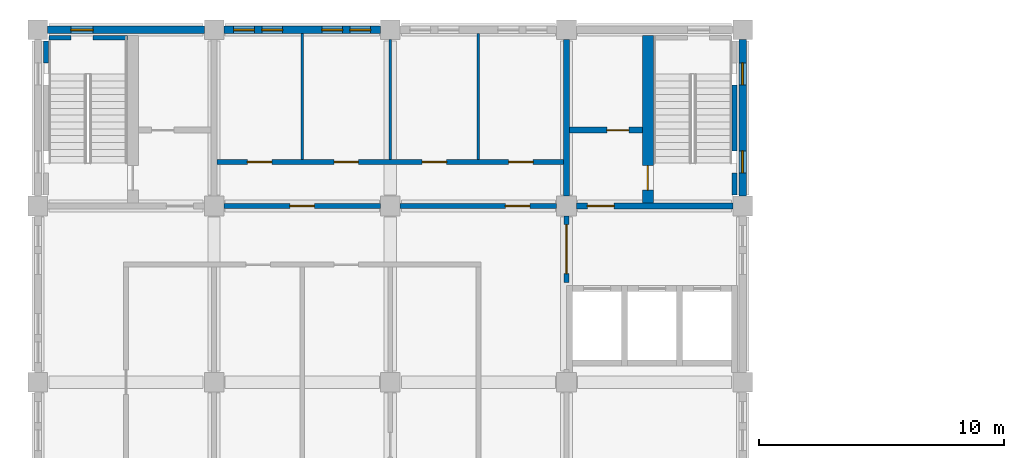
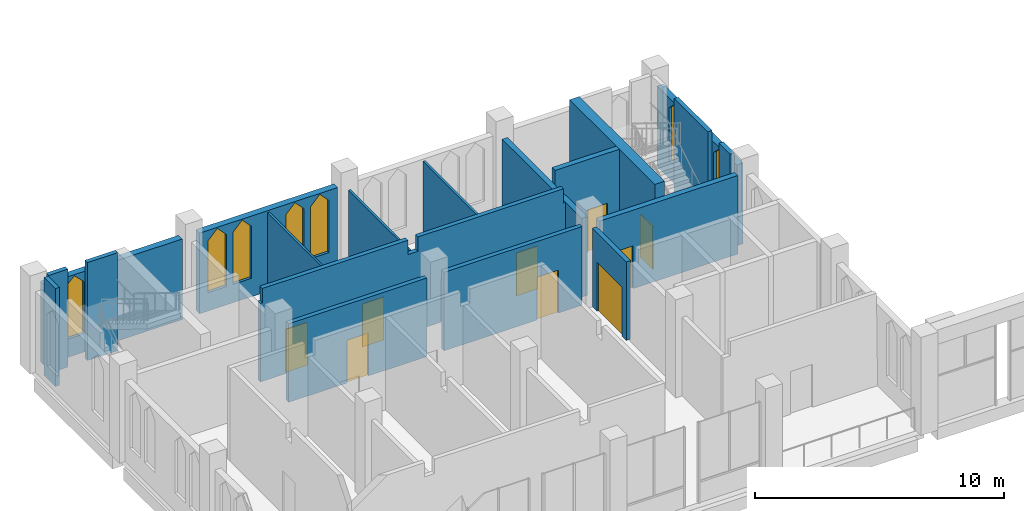
# One storey, part 23 of 31: 19 walls, 10 doors, 7 windows, 17 openings.
"""IFC4 building model written with IfcOpenShell, lengths in metres."""

from ifc_helpers import new_model, si_unit, direction, frame, frame_2d, origin, place, context, subcontext, project, spatial, polyline, rectangle, outline, extrude, material, layer, layer_set, type_object, element, fill, save


model = new_model("IFC4")

# Units and contexts
model_context = context("Model", 3, precision=1e-05, world=origin(), true_north=direction((0.0, 1.0)))
body_context = subcontext(model_context, "Body", "Model", "MODEL_VIEW")
ifc_project = project(units=[si_unit("LENGTHUNIT", "METRE"), si_unit("AREAUNIT", "SQUARE_METRE"), si_unit("VOLUMEUNIT", "CUBIC_METRE"), si_unit("PLANEANGLEUNIT", "RADIAN"), si_unit("MASSUNIT", "GRAM", prefix="KILO")], contexts=[model_context])

# Site, building, storey
site_placement = place(None, origin())
site = spatial("IfcSite", under=ifc_project, at=site_placement, CompositionType="ELEMENT")
building_placement = place(site_placement, origin())
building = spatial("IfcBuilding", under=site, at=building_placement, Name="Silangan Lancet Faculty of Sciences", CompositionType="ELEMENT")
storey_placement = place(building_placement, frame((0.0, 0.0, 36.0)))
storey = spatial("IfcBuildingStorey", under=building, at=storey_placement, Name="L07", CompositionType="ELEMENT", Elevation=36.0)

# Wall, openings, windows
ifc_material_1 = material(Name="Concrete C40/50 precast", Category="concrete")
ifc_layer_1 = layer(ifc_material_1, 0.300048828125)
ifc_layer_set_1 = layer_set([ifc_layer_1], Name="Concrete C40/50 precast")
wall_type_1 = type_object("IfcWallType", Name="EW1 Precast cladding wall", PredefinedType="STANDARD", material=ifc_layer_set_1)
wall_1_placement = place(storey_placement, frame((14.0, 57.60009765625, 0.0), z_axis=(0.0, 0.0, 1.0), x_axis=(-1.0, 0.0, 0.0)))
wall_1 = element("IfcWall", 1, at=wall_1_placement, inside=storey, type_object=wall_type_1, Name="EW-L07-N-NT-02", PredefinedType="STANDARD", context=body_context, shape_type="SweptSolid", body=[
    extrude(rectangle(XDim=6.39990234375, YDim=0.300048828125, at=frame_2d((3.199951171875, 0.0))), origin(), (0.0, 0.0, 1.0), 3.949951171875),
])
opening_1_placement = place(wall_1_placement, frame((0.39990234375, 0.0, 0.89990234375)))
opening_1 = element("IfcOpeningElement", 2, at=opening_1_placement, cuts=wall_1, Name="Opening W19", PredefinedType="OPENING", context=body_context, shape_type="SweptSolid", body=[
    extrude(outline(polyline([(0.0, 0.0), (0.85009765625, 0.0), (0.85009765625, 2.550048828125), (0.425048828125, 3.0), (0.0, 2.550048828125), (0.0, 0.0)])), frame((0.0, 0.159912109375, 0.0), z_axis=(0.0, -1.0, 0.0), x_axis=(1.0, 0.0, 0.0)), (0.0, 0.0, 1.0), 0.320068359375),
])
opening_2_placement = place(wall_1_placement, frame((1.550048828125, 0.0, 0.89990234375)))
opening_2 = element("IfcOpeningElement", 3, at=opening_2_placement, cuts=wall_1, Name="Opening W19", PredefinedType="OPENING", context=body_context, shape_type="SweptSolid", body=[
    extrude(outline(polyline([(0.0, 0.0), (0.85009765625, 0.0), (0.85009765625, 2.550048828125), (0.425048828125, 3.0), (0.0, 2.550048828125), (0.0, 0.0)])), frame((0.0, 0.159912109375, 0.0), z_axis=(0.0, -1.0, 0.0), x_axis=(1.0, 0.0, 0.0)), (0.0, 0.0, 1.0), 0.320068359375),
])
opening_3_placement = place(wall_1_placement, frame((4.0, 0.0, 0.89990234375)))
opening_3 = element("IfcOpeningElement", 4, at=opening_3_placement, cuts=wall_1, Name="Opening W19", PredefinedType="OPENING", context=body_context, shape_type="SweptSolid", body=[
    extrude(outline(polyline([(0.0, 0.0), (0.85009765625, 0.0), (0.85009765625, 2.550048828125), (0.425048828125, 3.0), (0.0, 2.550048828125), (0.0, 0.0)])), frame((0.0, 0.159912109375, 0.0), z_axis=(0.0, -1.0, 0.0), x_axis=(1.0, 0.0, 0.0)), (0.0, 0.0, 1.0), 0.320068359375),
])
opening_4_placement = place(wall_1_placement, frame((5.14990234375, 0.0, 0.89990234375)))
opening_4 = element("IfcOpeningElement", 5, at=opening_4_placement, cuts=wall_1, Name="Opening W19", PredefinedType="OPENING", context=body_context, shape_type="SweptSolid", body=[
    extrude(outline(polyline([(0.0, 0.0), (0.85009765625, 0.0), (0.85009765625, 2.550048828125), (0.425048828125, 3.0), (0.0, 2.550048828125), (0.0, 0.0)])), frame((0.0, 0.159912109375, 0.0), z_axis=(0.0, -1.0, 0.0), x_axis=(1.0, 0.0, 0.0)), (0.0, 0.0, 1.0), 0.320068359375),
])
ifc_material_2 = material(Name="Aluminium frame, laminated double glazing", Category="aluminium")
window_type_1 = type_object("IfcWindowType", Name="W19 Lancet window 850 x 3000", PartitioningType="SINGLE_PANEL", PredefinedType="WINDOW", material=ifc_material_2)
window_1_placement = place(opening_1_placement, origin())
window_1 = element("IfcWindow", 6, at=window_1_placement, inside=storey, type_object=window_type_1, Name="WIN-L07-N-NT-02a1", OverallHeight=3.0, OverallWidth=0.85009765625, PartitioningType="SINGLE_PANEL", PredefinedType="WINDOW", context=body_context, shape_type="SweptSolid", body=[
    extrude(outline(polyline([(0.0, 0.0), (0.85009765625, 0.0), (0.85009765625, 2.550048828125), (0.425048828125, 3.0), (0.0, 2.550048828125), (0.0, 0.0)])), frame((0.0, 0.030029296875, 0.0), z_axis=(0.0, -1.0, 0.0), x_axis=(1.0, 0.0, 0.0)), (0.0, 0.0, 1.0), 0.06005859375),
])
fill(opening_1, window_1)
window_2_placement = place(opening_2_placement, origin())
window_2 = element("IfcWindow", 7, at=window_2_placement, inside=storey, type_object=window_type_1, Name="WIN-L07-N-NT-02a2", OverallHeight=3.0, OverallWidth=0.85009765625, PartitioningType="SINGLE_PANEL", PredefinedType="WINDOW", context=body_context, shape_type="SweptSolid", body=[
    extrude(outline(polyline([(0.0, 0.0), (0.85009765625, 0.0), (0.85009765625, 2.550048828125), (0.425048828125, 3.0), (0.0, 2.550048828125), (0.0, 0.0)])), frame((0.0, 0.030029296875, 0.0), z_axis=(0.0, -1.0, 0.0), x_axis=(1.0, 0.0, 0.0)), (0.0, 0.0, 1.0), 0.06005859375),
])
fill(opening_2, window_2)
window_3_placement = place(opening_3_placement, origin())
window_3 = element("IfcWindow", 8, at=window_3_placement, inside=storey, type_object=window_type_1, Name="WIN-L07-N-NT-02b1", OverallHeight=3.0, OverallWidth=0.85009765625, PartitioningType="SINGLE_PANEL", PredefinedType="WINDOW", context=body_context, shape_type="SweptSolid", body=[
    extrude(outline(polyline([(0.0, 0.0), (0.85009765625, 0.0), (0.85009765625, 2.550048828125), (0.425048828125, 3.0), (0.0, 2.550048828125), (0.0, 0.0)])), frame((0.0, 0.030029296875, 0.0), z_axis=(0.0, -1.0, 0.0), x_axis=(1.0, 0.0, 0.0)), (0.0, 0.0, 1.0), 0.06005859375),
])
fill(opening_3, window_3)
window_4_placement = place(opening_4_placement, origin())
window_4 = element("IfcWindow", 9, at=window_4_placement, inside=storey, type_object=window_type_1, Name="WIN-L07-N-NT-02b2", OverallHeight=3.0, OverallWidth=0.85009765625, PartitioningType="SINGLE_PANEL", PredefinedType="WINDOW", context=body_context, shape_type="SweptSolid", body=[
    extrude(outline(polyline([(0.0, 0.0), (0.85009765625, 0.0), (0.85009765625, 2.550048828125), (0.425048828125, 3.0), (0.0, 2.550048828125), (0.0, 0.0)])), frame((0.0, 0.030029296875, 0.0), z_axis=(0.0, -1.0, 0.0), x_axis=(1.0, 0.0, 0.0)), (0.0, 0.0, 1.0), 0.06005859375),
])
fill(opening_4, window_4)

# Wall, opening, window
ifc_material_3 = material(Name="Concrete C40/50 precast", Category="concrete")
ifc_layer_2 = layer(ifc_material_3, 0.300048828125)
ifc_layer_set_2 = layer_set([ifc_layer_2], Name="Concrete C40/50 precast")
wall_type_2 = type_object("IfcWallType", Name="EW2 Turret enclosure wall", PredefinedType="STANDARD", material=ifc_layer_set_2)
wall_2_placement = place(storey_placement, frame((6.800048828125, 57.60009765625, 0.0), z_axis=(0.0, 0.0, 1.0), x_axis=(-1.0, 0.0, 0.0)))
wall_2 = element("IfcWall", 10, at=wall_2_placement, inside=storey, type_object=wall_type_2, Name="EW-L07-N-NT-03", PredefinedType="STANDARD", context=body_context, shape_type="SweptSolid", body=[
    extrude(rectangle(XDim=6.400146484375, YDim=0.300048828125, at=frame_2d((3.2001953125, 0.0))), origin(), (0.0, 0.0, 1.0), 3.949951171875),
])
opening_5_placement = place(wall_2_placement, frame((4.550048828125, 0.0, 0.89990234375)))
opening_5 = element("IfcOpeningElement", 11, at=opening_5_placement, cuts=wall_2, Name="Opening W17", PredefinedType="OPENING", context=body_context, shape_type="SweptSolid", body=[
    extrude(outline(polyline([(0.0, 0.0), (0.89990234375, 0.0), (0.89990234375, 2.550048828125), (0.449951171875, 3.0), (0.0, 2.550048828125), (0.0, 0.0)])), frame((0.0, 0.159912109375, 0.0), z_axis=(0.0, -1.0, 0.0), x_axis=(1.0, 0.0, 0.0)), (0.0, 0.0, 1.0), 0.320068359375),
])
ifc_material_4 = material(Name="Aluminium frame, laminated double glazing", Category="aluminium")
window_type_2 = type_object("IfcWindowType", Name="W17 Lancet window 900 x 3000", PartitioningType="SINGLE_PANEL", PredefinedType="WINDOW", material=ifc_material_4)
window_5_placement = place(opening_5_placement, origin())
window_5 = element("IfcWindow", 12, at=window_5_placement, inside=storey, type_object=window_type_2, Name="WIN-L07-N-NT-03b", OverallHeight=3.0, OverallWidth=0.89990234375, PartitioningType="SINGLE_PANEL", PredefinedType="WINDOW", context=body_context, shape_type="SweptSolid", body=[
    extrude(outline(polyline([(0.0, 0.0), (0.89990234375, 0.0), (0.89990234375, 2.550048828125), (0.449951171875, 3.0), (0.0, 2.550048828125), (0.0, 0.0)])), frame((0.0, 0.030029296875, 0.0), z_axis=(0.0, -1.0, 0.0), x_axis=(1.0, 0.0, 0.0)), (0.0, 0.0, 1.0), 0.06005859375),
])
fill(opening_5, window_5)

# Wall, openings, windows
wall_3_placement = place(storey_placement, frame((28.800048828125, 50.800048828125, 0.0), z_axis=(0.0, 0.0, 1.0), x_axis=(0.0, 1.0, 0.0)))
wall_3 = element("IfcWall", 13, at=wall_3_placement, inside=storey, type_object=wall_type_2, Name="EW-L07-E-NT-02", PredefinedType="STANDARD", context=body_context, shape_type="SweptSolid", body=[
    extrude(rectangle(XDim=6.39990234375, YDim=0.300048828125, at=frame_2d((3.199951171875, 0.0))), origin(), (0.0, 0.0, 1.0), 3.949951171875),
])
opening_6_placement = place(wall_3_placement, frame((0.949951171875, 0.0, 0.89990234375)))
opening_6 = element("IfcOpeningElement", 14, at=opening_6_placement, cuts=wall_3, Name="Opening W17", PredefinedType="OPENING", context=body_context, shape_type="SweptSolid", body=[
    extrude(outline(polyline([(0.0, 0.0), (0.89990234375, 0.0), (0.89990234375, 2.550048828125), (0.449951171875, 3.0), (0.0, 2.550048828125), (0.0, 0.0)])), frame((0.0, 0.159912109375, 0.0), z_axis=(0.0, -1.0, 0.0), x_axis=(1.0, 0.0, 0.0)), (0.0, 0.0, 1.0), 0.320068359375),
])
opening_7_placement = place(wall_3_placement, frame((4.550048828125, 0.0, 0.89990234375)))
opening_7 = element("IfcOpeningElement", 15, at=opening_7_placement, cuts=wall_3, Name="Opening W17", PredefinedType="OPENING", context=body_context, shape_type="SweptSolid", body=[
    extrude(outline(polyline([(0.0, 0.0), (0.89990234375, 0.0), (0.89990234375, 2.550048828125), (0.449951171875, 3.0), (0.0, 2.550048828125), (0.0, 0.0)])), frame((0.0, 0.159912109375, 0.0), z_axis=(0.0, -1.0, 0.0), x_axis=(1.0, 0.0, 0.0)), (0.0, 0.0, 1.0), 0.320068359375),
])
window_6_placement = place(opening_6_placement, origin())
window_6 = element("IfcWindow", 16, at=window_6_placement, inside=storey, type_object=window_type_2, Name="WIN-L07-E-NT-02a", OverallHeight=3.0, OverallWidth=0.89990234375, PartitioningType="SINGLE_PANEL", PredefinedType="WINDOW", context=body_context, shape_type="SweptSolid", body=[
    extrude(outline(polyline([(0.0, 0.0), (0.89990234375, 0.0), (0.89990234375, 2.550048828125), (0.449951171875, 3.0), (0.0, 2.550048828125), (0.0, 0.0)])), frame((0.0, 0.030029296875, 0.0), z_axis=(0.0, -1.0, 0.0), x_axis=(1.0, 0.0, 0.0)), (0.0, 0.0, 1.0), 0.06005859375),
])
fill(opening_6, window_6)
window_7_placement = place(opening_7_placement, origin())
window_7 = element("IfcWindow", 17, at=window_7_placement, inside=storey, type_object=window_type_2, Name="WIN-L07-E-NT-02b", OverallHeight=3.0, OverallWidth=0.89990234375, PartitioningType="SINGLE_PANEL", PredefinedType="WINDOW", context=body_context, shape_type="SweptSolid", body=[
    extrude(outline(polyline([(0.0, 0.0), (0.89990234375, 0.0), (0.89990234375, 2.550048828125), (0.449951171875, 3.0), (0.0, 2.550048828125), (0.0, 0.0)])), frame((0.0, 0.030029296875, 0.0), z_axis=(0.0, -1.0, 0.0), x_axis=(1.0, 0.0, 0.0)), (0.0, 0.0, 1.0), 0.06005859375),
])
fill(opening_7, window_7)

# Wall, opening, door
ifc_material_5 = material(Name="Hollow block masonry fm 7 MPa", Category="masonry")
ifc_layer_3 = layer(ifc_material_5, 0.199951171875)
ifc_layer_set_3 = layer_set([ifc_layer_3], Name="Hollow block masonry fm 7 MPa")
wall_type_3 = type_object("IfcWallType", Name="Interior wall PW1 Corridor wall CHB 200", PredefinedType="PARTITIONING", material=ifc_layer_set_3)
wall_4_placement = place(storey_placement, frame((7.60009765625, 50.39990234375, 0.0), z_axis=(0.0, 0.0, 1.0), x_axis=(1.0, 0.0, 0.0)))
wall_4 = element("IfcWall", 18, at=wall_4_placement, inside=storey, type_object=wall_type_3, Name="Corridor wall CHB 200", PredefinedType="PARTITIONING", context=body_context, shape_type="SweptSolid", body=[
    extrude(rectangle(XDim=6.39990234375, YDim=0.199951171875, at=frame_2d((3.199951171875, 0.0))), origin(), (0.0, 0.0, 1.0), 3.85009765625),
])
opening_8_placement = place(wall_4_placement, frame((2.699951171875, 0.0, 0.0)))
opening_8 = element("IfcOpeningElement", 19, at=opening_8_placement, cuts=wall_4, Name="Opening L07-005", PredefinedType="OPENING", context=body_context, shape_type="SweptSolid", body=[
    extrude(rectangle(XDim=1.0, YDim=2.10009765625, at=frame_2d((0.5, 1.050048828125))), frame((0.0, 0.10986328125, 0.0), z_axis=(0.0, -1.0, 0.0), x_axis=(1.0, 0.0, 0.0)), (0.0, 0.0, 1.0), 0.219970703125),
])
ifc_material_6 = material(Name="Steel fire door set", Category="steel")
door_type_1 = type_object("IfcDoorType", Name="Door D1 Single leaf fire door 1000 x 2100", OperationType="SINGLE_SWING_LEFT", PredefinedType="DOOR", material=ifc_material_6)
door_1_placement = place(opening_8_placement, origin())
door_1 = element("IfcDoor", 20, at=door_1_placement, inside=storey, type_object=door_type_1, Name="Single leaf fire door 1000 x 2100", OperationType="SINGLE_SWING_LEFT", OverallHeight=2.10009765625, OverallWidth=1.0, PredefinedType="DOOR", context=body_context, shape_type="SweptSolid", body=[
    extrude(rectangle(XDim=1.0, YDim=2.10009765625, at=frame_2d((0.5, 1.050048828125))), frame((0.0, 0.02490234375, 0.0), z_axis=(0.0, -1.0, 0.0), x_axis=(1.0, 0.0, 0.0)), (0.0, 0.0, 1.0), 0.050048828125),
])
fill(opening_8, door_1)

wall_5_placement = place(storey_placement, frame((14.800048828125, 50.39990234375, 0.0), z_axis=(0.0, 0.0, 1.0), x_axis=(1.0, 0.0, 0.0)))
wall_5 = element("IfcWall", 21, at=wall_5_placement, inside=storey, type_object=wall_type_3, Name="Corridor wall CHB 200", PredefinedType="PARTITIONING", context=body_context, shape_type="SweptSolid", body=[
    extrude(rectangle(XDim=6.39990234375, YDim=0.199951171875, at=frame_2d((3.199951171875, 0.0))), origin(), (0.0, 0.0, 1.0), 3.85009765625),
])
opening_9_placement = place(wall_5_placement, frame((4.300048828125, 0.0, 0.0)))
opening_9 = element("IfcOpeningElement", 22, at=opening_9_placement, cuts=wall_5, Name="Opening L07-006", PredefinedType="OPENING", context=body_context, shape_type="SweptSolid", body=[
    extrude(rectangle(XDim=1.0, YDim=2.10009765625, at=frame_2d((0.5, 1.050048828125))), frame((0.0, 0.10986328125, 0.0), z_axis=(0.0, -1.0, 0.0), x_axis=(1.0, 0.0, 0.0)), (0.0, 0.0, 1.0), 0.219970703125),
])
door_2_placement = place(opening_9_placement, origin())
door_2 = element("IfcDoor", 23, at=door_2_placement, inside=storey, type_object=door_type_1, Name="Single leaf fire door 1000 x 2100", OperationType="SINGLE_SWING_RIGHT", OverallHeight=2.10009765625, OverallWidth=1.0, PredefinedType="DOOR", context=body_context, shape_type="SweptSolid", body=[
    extrude(rectangle(XDim=1.0, YDim=2.10009765625, at=frame_2d((0.5, 1.050048828125))), frame((0.0, 0.02490234375, 0.0), z_axis=(0.0, -1.0, 0.0), x_axis=(1.0, 0.0, 0.0)), (0.0, 0.0, 1.0), 0.050048828125),
])
fill(opening_9, door_2)

# Wall, openings, doors
wall_6_placement = place(storey_placement, frame((7.324951171875, 52.199951171875, 0.0), z_axis=(0.0, 0.0, 1.0), x_axis=(1.0, 0.0, 0.0)))
wall_6 = element("IfcWall", 24, at=wall_6_placement, inside=storey, type_object=wall_type_3, Name="Corridor wall CHB 200", PredefinedType="PARTITIONING", context=body_context, shape_type="SweptSolid", body=[
    extrude(outline(polyline([(0.0, 0.0), (14.150146484375, 0.0), (14.150146484375, 3.85009765625), (14.050048828125, 3.85009765625), (14.050048828125, 4.550048828125), (7.300048828125, 4.550048828125), (7.300048828125, 3.85009765625), (6.85009765625, 3.85009765625), (6.85009765625, 4.550048828125), (0.10009765625, 4.550048828125), (0.10009765625, 3.85009765625), (0.0, 3.85009765625), (0.0, 0.0)])), frame((0.0, 0.10009765625, 0.0), z_axis=(0.0, -1.0, 0.0), x_axis=(1.0, 0.0, 0.0)), (0.0, 0.0, 1.0), 0.199951171875),
])
opening_10_placement = place(wall_6_placement, frame((1.237548828125, 0.0, 0.0)))
opening_10 = element("IfcOpeningElement", 25, at=opening_10_placement, cuts=wall_6, Name="Opening L07-019", PredefinedType="OPENING", context=body_context, shape_type="SweptSolid", body=[
    extrude(rectangle(XDim=1.0, YDim=2.10009765625, at=frame_2d((0.5, 1.050048828125))), frame((0.0, 0.10986328125, 0.0), z_axis=(0.0, -1.0, 0.0), x_axis=(1.0, 0.0, 0.0)), (0.0, 0.0, 1.0), 0.219970703125),
])
opening_11_placement = place(wall_6_placement, frame((4.77490234375, 0.0, 0.0)))
opening_11 = element("IfcOpeningElement", 26, at=opening_11_placement, cuts=wall_6, Name="Opening L07-020", PredefinedType="OPENING", context=body_context, shape_type="SweptSolid", body=[
    extrude(rectangle(XDim=1.0, YDim=2.10009765625, at=frame_2d((0.5, 1.050048828125))), frame((0.0, 0.10986328125, 0.0), z_axis=(0.0, -1.0, 0.0), x_axis=(1.0, 0.0, 0.0)), (0.0, 0.0, 1.0), 0.219970703125),
])
opening_12_placement = place(wall_6_placement, frame((8.375, 0.0, 0.0)))
opening_12 = element("IfcOpeningElement", 27, at=opening_12_placement, cuts=wall_6, Name="Opening L07-021", PredefinedType="OPENING", context=body_context, shape_type="SweptSolid", body=[
    extrude(rectangle(XDim=1.0, YDim=2.10009765625, at=frame_2d((0.5, 1.050048828125))), frame((0.0, 0.10986328125, 0.0), z_axis=(0.0, -1.0, 0.0), x_axis=(1.0, 0.0, 0.0)), (0.0, 0.0, 1.0), 0.219970703125),
])
opening_13_placement = place(wall_6_placement, frame((11.91259765625, 0.0, 0.0)))
opening_13 = element("IfcOpeningElement", 28, at=opening_13_placement, cuts=wall_6, Name="Opening L07-022", PredefinedType="OPENING", context=body_context, shape_type="SweptSolid", body=[
    extrude(rectangle(XDim=1.0, YDim=2.10009765625, at=frame_2d((0.5, 1.050048828125))), frame((0.0, 0.10986328125, 0.0), z_axis=(0.0, -1.0, 0.0), x_axis=(1.0, 0.0, 0.0)), (0.0, 0.0, 1.0), 0.219970703125),
])
door_3_placement = place(opening_10_placement, origin())
door_3 = element("IfcDoor", 29, at=door_3_placement, inside=storey, type_object=door_type_1, Name="Single leaf fire door 1000 x 2100", OperationType="SINGLE_SWING_LEFT", OverallHeight=2.10009765625, OverallWidth=1.0, PredefinedType="DOOR", context=body_context, shape_type="SweptSolid", body=[
    extrude(rectangle(XDim=1.0, YDim=2.10009765625, at=frame_2d((0.5, 1.050048828125))), frame((0.0, 0.02490234375, 0.0), z_axis=(0.0, -1.0, 0.0), x_axis=(1.0, 0.0, 0.0)), (0.0, 0.0, 1.0), 0.050048828125),
])
fill(opening_10, door_3)
door_4_placement = place(opening_11_placement, origin())
door_4 = element("IfcDoor", 30, at=door_4_placement, inside=storey, type_object=door_type_1, Name="Single leaf fire door 1000 x 2100", OperationType="SINGLE_SWING_RIGHT", OverallHeight=2.10009765625, OverallWidth=1.0, PredefinedType="DOOR", context=body_context, shape_type="SweptSolid", body=[
    extrude(rectangle(XDim=1.0, YDim=2.10009765625, at=frame_2d((0.5, 1.050048828125))), frame((0.0, 0.02490234375, 0.0), z_axis=(0.0, -1.0, 0.0), x_axis=(1.0, 0.0, 0.0)), (0.0, 0.0, 1.0), 0.050048828125),
])
fill(opening_11, door_4)
door_5_placement = place(opening_12_placement, origin())
door_5 = element("IfcDoor", 31, at=door_5_placement, inside=storey, type_object=door_type_1, Name="Single leaf fire door 1000 x 2100", OperationType="SINGLE_SWING_LEFT", OverallHeight=2.10009765625, OverallWidth=1.0, PredefinedType="DOOR", context=body_context, shape_type="SweptSolid", body=[
    extrude(rectangle(XDim=1.0, YDim=2.10009765625, at=frame_2d((0.5, 1.050048828125))), frame((0.0, 0.02490234375, 0.0), z_axis=(0.0, -1.0, 0.0), x_axis=(1.0, 0.0, 0.0)), (0.0, 0.0, 1.0), 0.050048828125),
])
fill(opening_12, door_5)
door_6_placement = place(opening_13_placement, origin())
door_6 = element("IfcDoor", 32, at=door_6_placement, inside=storey, type_object=door_type_1, Name="Single leaf fire door 1000 x 2100", OperationType="SINGLE_SWING_RIGHT", OverallHeight=2.10009765625, OverallWidth=1.0, PredefinedType="DOOR", context=body_context, shape_type="SweptSolid", body=[
    extrude(rectangle(XDim=1.0, YDim=2.10009765625, at=frame_2d((0.5, 1.050048828125))), frame((0.0, 0.02490234375, 0.0), z_axis=(0.0, -1.0, 0.0), x_axis=(1.0, 0.0, 0.0)), (0.0, 0.0, 1.0), 0.050048828125),
])
fill(opening_13, door_6)

# Walls
ifc_material_7 = material(Name="Hollow block masonry fm 7 MPa", Category="masonry")
ifc_layer_4 = layer(ifc_material_7, 0.10009765625)
ifc_layer_set_4 = layer_set([ifc_layer_4], Name="Hollow block masonry fm 7 MPa")
wall_type_4 = type_object("IfcWallType", Name="Interior wall PW8 WC partition CHB 100", PredefinedType="PARTITIONING", material=ifc_layer_set_4)
wall_7_placement = place(storey_placement, frame((10.800048828125, 52.300048828125, 0.0), z_axis=(0.0, 0.0, 1.0), x_axis=(0.0, 1.0, 0.0)))
element("IfcWall", 33, at=wall_7_placement, inside=storey, type_object=wall_type_4, Name="WC partition CHB 100", PredefinedType="PARTITIONING", context=body_context, shape_type="SweptSolid", body=[
    extrude(rectangle(XDim=5.14990234375, YDim=0.10009765625, at=frame_2d((2.574951171875, 0.0))), origin(), (0.0, 0.0, 1.0), 3.85009765625),
])
wall_8_placement = place(storey_placement, frame((14.39990234375, 52.300048828125, 0.0), z_axis=(0.0, 0.0, 1.0), x_axis=(0.0, 1.0, 0.0)))
element("IfcWall", 34, at=wall_8_placement, inside=storey, type_object=wall_type_4, Name="WC partition CHB 100", PredefinedType="PARTITIONING", context=body_context, shape_type="SweptSolid", body=[
    extrude(rectangle(XDim=4.89990234375, YDim=0.10009765625, at=frame_2d((2.449951171875, 0.0))), origin(), (0.0, 0.0, 1.0), 3.85009765625),
])
wall_9_placement = place(storey_placement, frame((18.0, 52.300048828125, 0.0), z_axis=(0.0, 0.0, 1.0), x_axis=(0.0, 1.0, 0.0)))
element("IfcWall", 35, at=wall_9_placement, inside=storey, type_object=wall_type_4, Name="WC partition CHB 100", PredefinedType="PARTITIONING", context=body_context, shape_type="SweptSolid", body=[
    extrude(rectangle(XDim=5.14990234375, YDim=0.10009765625, at=frame_2d((2.574951171875, 0.0))), origin(), (0.0, 0.0, 1.0), 3.85009765625),
])

# Wall, opening, door
ifc_material_8 = material(Name="Hollow block masonry fm 7 MPa", Category="masonry")
ifc_layer_5 = layer(ifc_material_8, 0.199951171875)
ifc_layer_set_5 = layer_set([ifc_layer_5], Name="Hollow block masonry fm 7 MPa")
wall_type_5 = type_object("IfcWallType", Name="Interior wall PW9 Lift lobby wall CHB 200", PredefinedType="PARTITIONING", material=ifc_layer_set_5)
wall_10_placement = place(storey_placement, frame((21.60009765625, 47.27490234375, 0.0), z_axis=(0.0, 0.0, 1.0), x_axis=(0.0, 1.0, 0.0)))
wall_10 = element("IfcWall", 36, at=wall_10_placement, inside=storey, type_object=wall_type_5, Name="Lift lobby wall CHB 200", PredefinedType="PARTITIONING", context=body_context, shape_type="SweptSolid", body=[
    extrude(rectangle(XDim=2.72509765625, YDim=0.199951171875, at=frame_2d((1.362548828125, 0.0))), origin(), (0.0, 0.0, 1.0), 3.85009765625),
])
opening_14_placement = place(wall_10_placement, frame((0.362548828125, 0.0, 0.0)))
opening_14 = element("IfcOpeningElement", 37, at=opening_14_placement, cuts=wall_10, Name="Opening L07-004", PredefinedType="OPENING", context=body_context, shape_type="SweptSolid", body=[
    extrude(rectangle(XDim=2.0, YDim=2.39990234375, at=frame_2d((1.0, 1.199951171875))), frame((0.0, 0.10986328125, 0.0), z_axis=(0.0, -1.0, 0.0), x_axis=(1.0, 0.0, 0.0)), (0.0, 0.0, 1.0), 0.219970703125),
])
ifc_material_9 = material(Name="Steel fire door set", Category="steel")
door_type_2 = type_object("IfcDoorType", Name="Door D5 Lift lobby double fire door 2000 x 2400", OperationType="DOUBLE_DOOR_SINGLE_SWING", PredefinedType="DOOR", material=ifc_material_9)
door_7_placement = place(opening_14_placement, origin())
door_7 = element("IfcDoor", 38, at=door_7_placement, inside=storey, type_object=door_type_2, Name="Lift lobby double fire door 2000 x 2400", OperationType="DOUBLE_DOOR_SINGLE_SWING", OverallHeight=2.39990234375, OverallWidth=2.0, PredefinedType="DOOR", context=body_context, shape_type="SweptSolid", body=[
    extrude(rectangle(XDim=2.0, YDim=2.39990234375, at=frame_2d((1.0, 1.199951171875))), frame((0.0, 0.02490234375, 0.0), z_axis=(0.0, -1.0, 0.0), x_axis=(1.0, 0.0, 0.0)), (0.0, 0.0, 1.0), 0.050048828125),
])
fill(opening_14, door_7)

ifc_material_10 = material(Name="Concrete C40/50", Category="concrete")
ifc_layer_6 = layer(ifc_material_10, 0.449951171875)
ifc_layer_set_6 = layer_set([ifc_layer_6], Name="Concrete C40/50")
wall_type_6 = type_object("IfcWallType", Name="TURRET CORE WALL RC 450", PredefinedType="SHEAR", material=ifc_layer_set_6)
wall_11_placement = place(storey_placement, frame((24.925048828125, 50.52490234375, 0.0), z_axis=(0.0, 0.0, 1.0), x_axis=(0.0, 1.0, 0.0)))
wall_11 = element("IfcWall", 39, at=wall_11_placement, inside=storey, type_object=wall_type_6, Name="WALL-L07-NT-B-WELL", PredefinedType="SHEAR", context=body_context, shape_type="SweptSolid", body=[
    extrude(rectangle(XDim=6.85009765625, YDim=0.449951171875, at=frame_2d((3.425048828125, 0.0))), origin(), (0.0, 0.0, 1.0), 4.550048828125),
])
opening_15_placement = place(wall_11_placement, frame((0.52490234375, 0.0, 0.0)))
opening_15 = element("IfcOpeningElement", 40, at=opening_15_placement, cuts=wall_11, Name="Opening L07-704", PredefinedType="OPENING", context=body_context, shape_type="SweptSolid", body=[
    extrude(rectangle(XDim=1.0, YDim=2.10009765625, at=frame_2d((0.5, 1.050048828125))), frame((0.0, 0.23486328125, 0.0), z_axis=(0.0, -1.0, 0.0), x_axis=(1.0, 0.0, 0.0)), (0.0, 0.0, 1.0), 0.469970703125),
])
ifc_material_11 = material(Name="Steel fire door set", Category="steel")
door_type_3 = type_object("IfcDoorType", Name="D71 Stair enclosure door 1000x2100", OperationType="SINGLE_SWING_LEFT", PredefinedType="DOOR", material=ifc_material_11)
door_8_placement = place(opening_15_placement, frame((1.0, 0.0, 0.0), z_axis=(0.0, 0.0, 1.0), x_axis=(-1.0, 0.0, 0.0)))
door_8 = element("IfcDoor", 41, at=door_8_placement, inside=storey, type_object=door_type_3, Name="Stair enclosure door NT-B L07", OperationType="SINGLE_SWING_RIGHT", OverallHeight=2.10009765625, OverallWidth=1.0, PredefinedType="DOOR", context=body_context, shape_type="SweptSolid", body=[
    extrude(rectangle(XDim=1.0, YDim=2.10009765625, at=frame_2d((0.5, 1.050048828125))), frame((0.0, 0.025146484375, 0.0), z_axis=(0.0, -1.0, 0.0), x_axis=(1.0, 0.0, 0.0)), (0.0, 0.0, 1.0), 0.050048828125),
])
fill(opening_15, door_8)

# Walls
ifc_material_12 = material(Name="Concrete C40/50", Category="concrete")
ifc_layer_7 = layer(ifc_material_12, 0.199951171875)
ifc_layer_set_7 = layer_set([ifc_layer_7], Name="Concrete C40/50")
wall_type_7 = type_object("IfcWallType", Name="TURRET LINING WALL RC 200", PredefinedType="SHEAR", material=ifc_layer_set_7)
wall_12_placement = place(storey_placement, frame((0.324951171875, 56.25, -0.25), z_axis=(0.0, 0.0, 1.0), x_axis=(0.0, 1.0, 0.0)))
element("IfcWall", 42, at=wall_12_placement, inside=storey, type_object=wall_type_7, Name="WALL-L07-NT-A-WL-3", PredefinedType="SHEAR", context=body_context, shape_type="SweptSolid", body=[
    extrude(rectangle(XDim=0.89990234375, YDim=0.199951171875, at=frame_2d((0.449951171875, 0.0))), origin(), (0.0, 0.0, 1.0), 4.800048828125),
])
wall_13_placement = place(storey_placement, frame((0.449951171875, 57.27490234375, -0.25), z_axis=(0.0, 0.0, 1.0), x_axis=(1.0, 0.0, 0.0)))
element("IfcWall", 43, at=wall_13_placement, inside=storey, type_object=wall_type_7, Name="WALL-L07-NT-A-WLD", PredefinedType="SHEAR", context=body_context, shape_type="SweptSolid", body=[
    extrude(rectangle(XDim=0.900146484375, YDim=0.199951171875, at=frame_2d((0.4501953125, 0.0))), origin(), (0.0, 0.0, 1.0), 4.800048828125),
])
wall_14_placement = place(storey_placement, frame((2.25, 57.27490234375, -0.25), z_axis=(0.0, 0.0, 1.0), x_axis=(1.0, 0.0, 0.0)))
element("IfcWall", 44, at=wall_14_placement, inside=storey, type_object=wall_type_7, Name="WALL-L07-NT-A-WLD-2", PredefinedType="SHEAR", context=body_context, shape_type="SweptSolid", body=[
    extrude(rectangle(XDim=1.39990234375, YDim=0.199951171875, at=frame_2d((0.699951171875, 0.0))), origin(), (0.0, 0.0, 1.0), 4.800048828125),
])
wall_15_placement = place(storey_placement, frame((28.47509765625, 50.85009765625, -0.25), z_axis=(0.0, 0.0, 1.0), x_axis=(0.0, 1.0, 0.0)))
element("IfcWall", 45, at=wall_15_placement, inside=storey, type_object=wall_type_7, Name="WALL-L07-NT-B-WL", PredefinedType="SHEAR", context=body_context, shape_type="SweptSolid", body=[
    extrude(rectangle(XDim=0.89990234375, YDim=0.199951171875, at=frame_2d((0.449951171875, 0.0))), origin(), (0.0, 0.0, 1.0), 4.800048828125),
])
wall_16_placement = place(storey_placement, frame((28.47509765625, 52.64990234375, -0.25), z_axis=(0.0, 0.0, 1.0), x_axis=(0.0, 1.0, 0.0)))
element("IfcWall", 46, at=wall_16_placement, inside=storey, type_object=wall_type_7, Name="WALL-L07-NT-B-WL-2", PredefinedType="SHEAR", context=body_context, shape_type="SweptSolid", body=[
    extrude(rectangle(XDim=2.7001953125, YDim=0.199951171875, at=frame_2d((1.35009765625, 0.0))), origin(), (0.0, 0.0, 1.0), 4.800048828125),
])

# Wall, opening, door
ifc_material_13 = material(Name="Concrete C40/50", Category="concrete")
ifc_layer_8 = layer(ifc_material_13, 0.25)
ifc_layer_set_8 = layer_set([ifc_layer_8], Name="Concrete C40/50")
wall_type_8 = type_object("IfcWallType", Name="TURRET WALL RC 250", PredefinedType="SHEAR", material=ifc_layer_set_8)
wall_17_placement = place(storey_placement, frame((22.0, 50.39990234375, 0.0), z_axis=(0.0, 0.0, 1.0), x_axis=(1.0, 0.0, 0.0)))
wall_17 = element("IfcWall", 47, at=wall_17_placement, inside=storey, type_object=wall_type_8, Name="WALL-L07-NT-B-V", PredefinedType="SHEAR", context=body_context, shape_type="SweptSolid", body=[
    extrude(rectangle(XDim=6.39990234375, YDim=0.25, at=frame_2d((3.199951171875, 0.0))), origin(), (0.0, 0.0, 1.0), 3.85009765625),
])
opening_16_placement = place(wall_17_placement, frame((0.449951171875, 0.0, 0.0)))
opening_16 = element("IfcOpeningElement", 48, at=opening_16_placement, cuts=wall_17, Name="Opening L07-705", PredefinedType="OPENING", context=body_context, shape_type="SweptSolid", body=[
    extrude(rectangle(XDim=1.10009765625, YDim=2.10009765625, at=frame_2d((0.550048828125, 1.050048828125))), frame((0.0, 0.135009765625, 0.0), z_axis=(0.0, -1.0, 0.0), x_axis=(1.0, 0.0, 0.0)), (0.0, 0.0, 1.0), 0.27001953125),
])
ifc_material_14 = material(Name="Steel fire door set", Category="steel")
door_type_4 = type_object("IfcDoorType", Name="D70 Stair vestibule door 1100x2100", OperationType="SINGLE_SWING_LEFT", PredefinedType="DOOR", material=ifc_material_14)
door_9_placement = place(opening_16_placement, origin())
door_9 = element("IfcDoor", 49, at=door_9_placement, inside=storey, type_object=door_type_4, Name="Stair vestibule door NT-B L07", OperationType="SINGLE_SWING_LEFT", OverallHeight=2.10009765625, OverallWidth=1.10009765625, PredefinedType="DOOR", context=body_context, shape_type="SweptSolid", body=[
    extrude(rectangle(XDim=1.10009765625, YDim=2.10009765625, at=frame_2d((0.550048828125, 1.050048828125))), frame((0.0, 0.02490234375, 0.0), z_axis=(0.0, -1.0, 0.0), x_axis=(1.0, 0.0, 0.0)), (0.0, 0.0, 1.0), 0.050048828125),
])
fill(opening_16, door_9)

# Wall
wall_18_placement = place(storey_placement, frame((21.60009765625, 50.800048828125, 0.0), z_axis=(0.0, 0.0, 1.0), x_axis=(0.0, 1.0, 0.0)))
element("IfcWall", 50, at=wall_18_placement, inside=storey, type_object=wall_type_8, Name="WALL-L07-NT-B-O", PredefinedType="SHEAR", context=body_context, shape_type="SweptSolid", body=[
    extrude(rectangle(XDim=6.39990234375, YDim=0.25, at=frame_2d((3.199951171875, 0.0))), origin(), (0.0, 0.0, 1.0), 3.85009765625),
])

# Wall, opening, door
wall_19_placement = place(storey_placement, frame((21.72509765625, 53.5, 0.0), z_axis=(0.0, 0.0, 1.0), x_axis=(1.0, 0.0, 0.0)))
wall_19 = element("IfcWall", 51, at=wall_19_placement, inside=storey, type_object=wall_type_8, Name="WALL-L07-NT-B-RISER", PredefinedType="SHEAR", context=body_context, shape_type="SweptSolid", body=[
    extrude(rectangle(XDim=2.974853515625, YDim=0.25, at=frame_2d((1.4873046875, 0.0))), origin(), (0.0, 0.0, 1.0), 4.550048828125),
])
opening_17_placement = place(wall_19_placement, frame((1.52490234375, 0.0, 0.0)))
opening_17 = element("IfcOpeningElement", 52, at=opening_17_placement, cuts=wall_19, Name="Opening L07-706", PredefinedType="OPENING", context=body_context, shape_type="SweptSolid", body=[
    extrude(rectangle(XDim=0.89990234375, YDim=2.10009765625, at=frame_2d((0.449951171875, 1.050048828125))), frame((0.0, 0.135009765625, 0.0), z_axis=(0.0, -1.0, 0.0), x_axis=(1.0, 0.0, 0.0)), (0.0, 0.0, 1.0), 0.27001953125),
])
ifc_material_15 = material(Name="Steel fire door set", Category="steel")
door_type_5 = type_object("IfcDoorType", Name="D72 Riser access door 900x2100", OperationType="SINGLE_SWING_LEFT", PredefinedType="DOOR", material=ifc_material_15)
door_10_placement = place(opening_17_placement, origin())
door_10 = element("IfcDoor", 53, at=door_10_placement, inside=storey, type_object=door_type_5, Name="Riser access door NT-B L07", OperationType="SINGLE_SWING_LEFT", OverallHeight=2.10009765625, OverallWidth=0.89990234375, PredefinedType="DOOR", context=body_context, shape_type="SweptSolid", body=[
    extrude(rectangle(XDim=0.89990234375, YDim=2.10009765625, at=frame_2d((0.449951171875, 1.050048828125))), frame((0.0, 0.02490234375, 0.0), z_axis=(0.0, -1.0, 0.0), x_axis=(1.0, 0.0, 0.0)), (0.0, 0.0, 1.0), 0.050048828125),
])
fill(opening_17, door_10)

save(model, "model.ifc")
